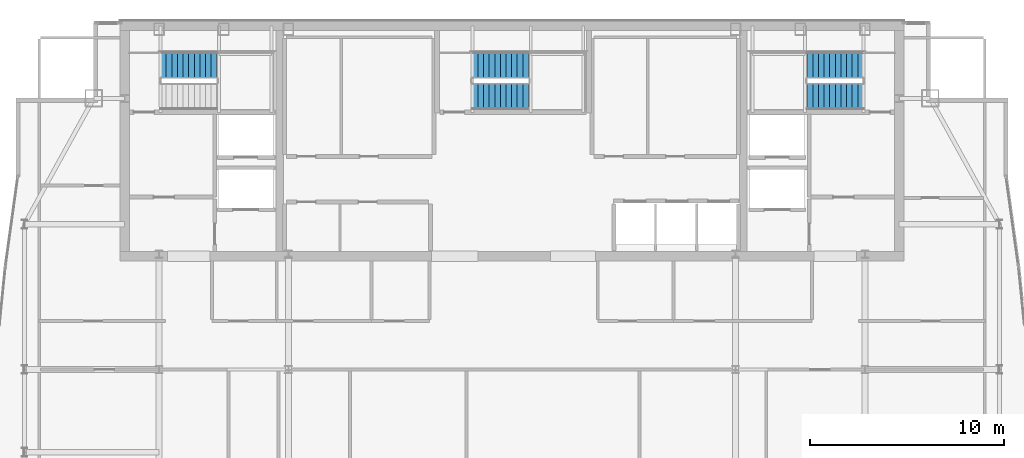
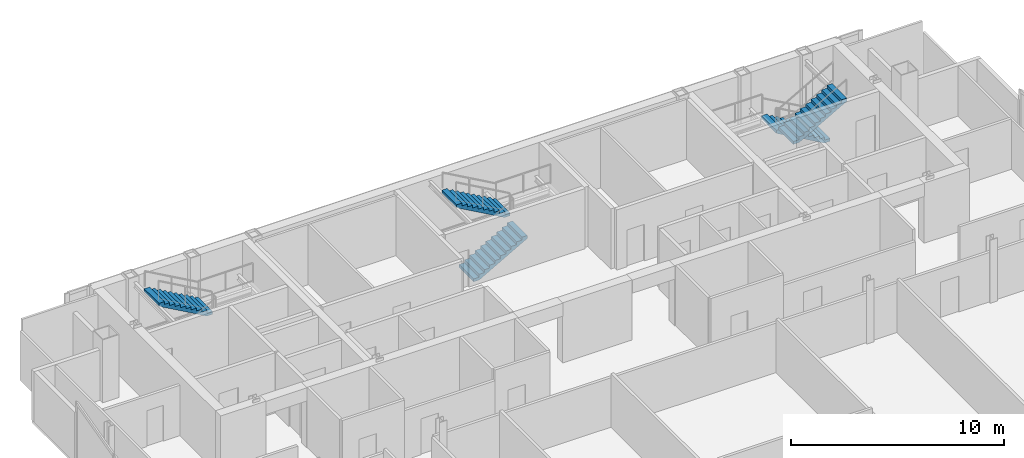
# One storey, part 24 of 26: 5 stair flights, 3 elements without a shape of their own.
"""IFC4 building model written with IfcOpenShell, lengths in metres."""

from ifc_helpers import new_model, si_unit, direction, frame, origin, place, context, subcontext, project, spatial, polyline, outline, extrude, material, type_object, element, aggregate, save


model = new_model("IFC4")

# Units and contexts
model_context = context("Model", 3, precision=1e-05, world=origin(), true_north=direction((0.0, 1.0)))
body_context = subcontext(model_context, "Body", "Model", "MODEL_VIEW")
ifc_project = project(units=[si_unit("LENGTHUNIT", "METRE"), si_unit("AREAUNIT", "SQUARE_METRE"), si_unit("VOLUMEUNIT", "CUBIC_METRE"), si_unit("PLANEANGLEUNIT", "RADIAN"), si_unit("MASSUNIT", "GRAM", prefix="KILO")], contexts=[model_context])

# Site, building, storey
site_placement = place(None, origin())
site = spatial("IfcSite", under=ifc_project, at=site_placement, CompositionType="ELEMENT")
building_placement = place(site_placement, origin())
building = spatial("IfcBuilding", under=site, at=building_placement, Name="Khoronbel Lancet Exchange", CompositionType="ELEMENT")
storey_placement = place(building_placement, frame((0.0, 0.0, 339.800048828125)))
storey = spatial("IfcBuildingStorey", under=building, at=storey_placement, Name="L88", CompositionType="ELEMENT", Elevation=339.800048828125)

# Stair, stair flight
ifc_material = material(Name="Concrete C40/50", Category="concrete")
stair_type = type_object("IfcStairType", Name="STR-CORE150", PredefinedType="HALF_TURN_STAIR", material=ifc_material)
stair_1_placement = place(storey_placement, origin())
stair_1 = element("IfcStair", 1, at=stair_1_placement, inside=storey, type_object=stair_type, Name="L88 Protected Exit Stair ST1", PredefinedType="HALF_TURN_STAIR")
stair_flight_type = type_object("IfcStairFlightType", Name="STF-150", PredefinedType="STRAIGHT", material=ifc_material)
stair_flight_1_placement = place(storey_placement, frame((21.199951171875, 51.409912109375, 1.800048828125), z_axis=(0.0, 0.0, 1.0), x_axis=(-1.0, 0.0, 0.0)))
stair_flight_1 = element("IfcStairFlight", 2, at=stair_flight_1_placement, type_object=stair_flight_type, Name="ST1 flight 2", NumberOfRisers=11, NumberOfTreads=10, PredefinedType="STRAIGHT", RiserHeight=0.163636364, TreadLength=0.29, context=body_context, shape_type="SweptSolid", body=[
    extrude(outline(polyline([(0.0, 0.0), (0.0, 0.16357421875), (0.2900390625, 0.16357421875), (0.2900390625, 0.327392578125), (0.580078125, 0.327392578125), (0.580078125, 0.490966796875), (0.8701171875, 0.490966796875), (0.8701171875, 0.654541015625), (1.159912109375, 0.654541015625), (1.159912109375, 0.818115234375), (1.449951171875, 0.818115234375), (1.449951171875, 0.98193359375), (1.739990234375, 0.98193359375), (1.739990234375, 1.1455078125), (2.030029296875, 1.1455078125), (2.030029296875, 1.30908203125), (2.320068359375, 1.30908203125), (2.320068359375, 1.47265625), (2.610107421875, 1.47265625), (2.610107421875, 1.636474609375), (2.89990234375, 1.636474609375), (2.89990234375, 1.800048828125), (2.89990234375, 1.46435546875), (0.304931640625, 0.0), (0.0, 0.0)])), frame((0.0, 0.68994140625, 0.0), z_axis=(0.0, -1.0, 0.0), x_axis=(1.0, 0.0, 0.0)), (0.0, 0.0, 1.0), 1.3798828125),
])
aggregate(stair_1, [stair_flight_1])

# Stair, stair flights
stair_2_placement = place(storey_placement, origin())
stair_2 = element("IfcStair", 3, at=stair_2_placement, inside=storey, type_object=stair_type, Name="L88 Protected Exit Stair ST2", PredefinedType="HALF_TURN_STAIR")
stair_flight_2_placement = place(storey_placement, frame((54.60009765625, 51.409912109375, 0.0), z_axis=(0.0, 0.0, 1.0), x_axis=(-1.0, 0.0, 0.0)))
stair_flight_2 = element("IfcStairFlight", 4, at=stair_flight_2_placement, type_object=stair_flight_type, Name="ST2 flight 1", NumberOfRisers=11, NumberOfTreads=10, PredefinedType="STRAIGHT", RiserHeight=0.163636364, TreadLength=0.29, context=body_context, shape_type="SweptSolid", body=[
    extrude(outline(polyline([(0.0, 0.0), (0.0, 0.16357421875), (0.2900390625, 0.16357421875), (0.2900390625, 0.327392578125), (0.580078125, 0.327392578125), (0.580078125, 0.490966796875), (0.8701171875, 0.490966796875), (0.8701171875, 0.654541015625), (1.159912109375, 0.654541015625), (1.159912109375, 0.818115234375), (1.449951171875, 0.818115234375), (1.449951171875, 0.98193359375), (1.739990234375, 0.98193359375), (1.739990234375, 1.1455078125), (2.030029296875, 1.1455078125), (2.030029296875, 1.30908203125), (2.320068359375, 1.30908203125), (2.320068359375, 1.47265625), (2.610107421875, 1.47265625), (2.610107421875, 1.636474609375), (2.89990234375, 1.636474609375), (2.89990234375, 1.800048828125), (2.89990234375, 1.46435546875), (0.304931640625, 0.0), (0.0, 0.0)])), frame((0.0, 0.68994140625, 0.0), z_axis=(0.0, -1.0, 0.0), x_axis=(1.0, 0.0, 0.0)), (0.0, 0.0, 1.0), 1.3798828125),
])
stair_flight_3_placement = place(storey_placement, frame((51.699951171875, 49.81005859375, 1.800048828125), z_axis=(0.0, 0.0, 1.0), x_axis=(1.0, 0.0, 0.0)))
stair_flight_3 = element("IfcStairFlight", 5, at=stair_flight_3_placement, type_object=stair_flight_type, Name="ST2 flight 2", NumberOfRisers=11, NumberOfTreads=10, PredefinedType="STRAIGHT", RiserHeight=0.163636364, TreadLength=0.29, context=body_context, shape_type="SweptSolid", body=[
    extrude(outline(polyline([(0.0, 0.0), (0.0, 0.16357421875), (0.2900390625, 0.16357421875), (0.2900390625, 0.327392578125), (0.580078125, 0.327392578125), (0.580078125, 0.490966796875), (0.8701171875, 0.490966796875), (0.8701171875, 0.654541015625), (1.159912109375, 0.654541015625), (1.159912109375, 0.818115234375), (1.449951171875, 0.818115234375), (1.449951171875, 0.98193359375), (1.739990234375, 0.98193359375), (1.739990234375, 1.1455078125), (2.030029296875, 1.1455078125), (2.030029296875, 1.30908203125), (2.320068359375, 1.30908203125), (2.320068359375, 1.47265625), (2.610107421875, 1.47265625), (2.610107421875, 1.636474609375), (2.89990234375, 1.636474609375), (2.89990234375, 1.800048828125), (2.89990234375, 1.46435546875), (0.304931640625, 0.0), (0.0, 0.0)])), frame((0.0, 0.68994140625, 0.0), z_axis=(0.0, -1.0, 0.0), x_axis=(1.0, 0.0, 0.0)), (0.0, 0.0, 1.0), 1.3798828125),
])
aggregate(stair_2, [stair_flight_2, stair_flight_3])

stair_3_placement = place(storey_placement, origin())
stair_3 = element("IfcStair", 6, at=stair_3_placement, inside=storey, type_object=stair_type, Name="L88 Protected Exit Stair ST3", PredefinedType="HALF_TURN_STAIR")
stair_flight_4_placement = place(storey_placement, frame((34.39990234375, 49.81005859375, 0.0), z_axis=(0.0, 0.0, 1.0), x_axis=(1.0, 0.0, 0.0)))
stair_flight_4 = element("IfcStairFlight", 7, at=stair_flight_4_placement, type_object=stair_flight_type, Name="ST3 flight 1", NumberOfRisers=11, NumberOfTreads=10, PredefinedType="STRAIGHT", RiserHeight=0.163636364, TreadLength=0.29, context=body_context, shape_type="SweptSolid", body=[
    extrude(outline(polyline([(0.0, 0.0), (0.0, 0.16357421875), (0.2900390625, 0.16357421875), (0.2900390625, 0.327392578125), (0.580078125, 0.327392578125), (0.580078125, 0.490966796875), (0.8701171875, 0.490966796875), (0.8701171875, 0.654541015625), (1.159912109375, 0.654541015625), (1.159912109375, 0.818115234375), (1.449951171875, 0.818115234375), (1.449951171875, 0.98193359375), (1.739990234375, 0.98193359375), (1.739990234375, 1.1455078125), (2.030029296875, 1.1455078125), (2.030029296875, 1.30908203125), (2.320068359375, 1.30908203125), (2.320068359375, 1.47265625), (2.610107421875, 1.47265625), (2.610107421875, 1.636474609375), (2.89990234375, 1.636474609375), (2.89990234375, 1.800048828125), (2.89990234375, 1.46435546875), (0.304931640625, 0.0), (0.0, 0.0)])), frame((0.0, 0.68994140625, 0.0), z_axis=(0.0, -1.0, 0.0), x_axis=(1.0, 0.0, 0.0)), (0.0, 0.0, 1.0), 1.3798828125),
])
stair_flight_5_placement = place(storey_placement, frame((37.300048828125, 51.409912109375, 1.800048828125), z_axis=(0.0, 0.0, 1.0), x_axis=(-1.0, 0.0, 0.0)))
stair_flight_5 = element("IfcStairFlight", 8, at=stair_flight_5_placement, type_object=stair_flight_type, Name="ST3 flight 2", NumberOfRisers=11, NumberOfTreads=10, PredefinedType="STRAIGHT", RiserHeight=0.163636364, TreadLength=0.29, context=body_context, shape_type="SweptSolid", body=[
    extrude(outline(polyline([(0.0, 0.0), (0.0, 0.16357421875), (0.2900390625, 0.16357421875), (0.2900390625, 0.327392578125), (0.580078125, 0.327392578125), (0.580078125, 0.490966796875), (0.8701171875, 0.490966796875), (0.8701171875, 0.654541015625), (1.159912109375, 0.654541015625), (1.159912109375, 0.818115234375), (1.449951171875, 0.818115234375), (1.449951171875, 0.98193359375), (1.739990234375, 0.98193359375), (1.739990234375, 1.1455078125), (2.030029296875, 1.1455078125), (2.030029296875, 1.30908203125), (2.320068359375, 1.30908203125), (2.320068359375, 1.47265625), (2.610107421875, 1.47265625), (2.610107421875, 1.636474609375), (2.89990234375, 1.636474609375), (2.89990234375, 1.800048828125), (2.89990234375, 1.46435546875), (0.304931640625, 0.0), (0.0, 0.0)])), frame((0.0, 0.68994140625, 0.0), z_axis=(0.0, -1.0, 0.0), x_axis=(1.0, 0.0, 0.0)), (0.0, 0.0, 1.0), 1.3798828125),
])
aggregate(stair_3, [stair_flight_4, stair_flight_5])

save(model, "model.ifc")
